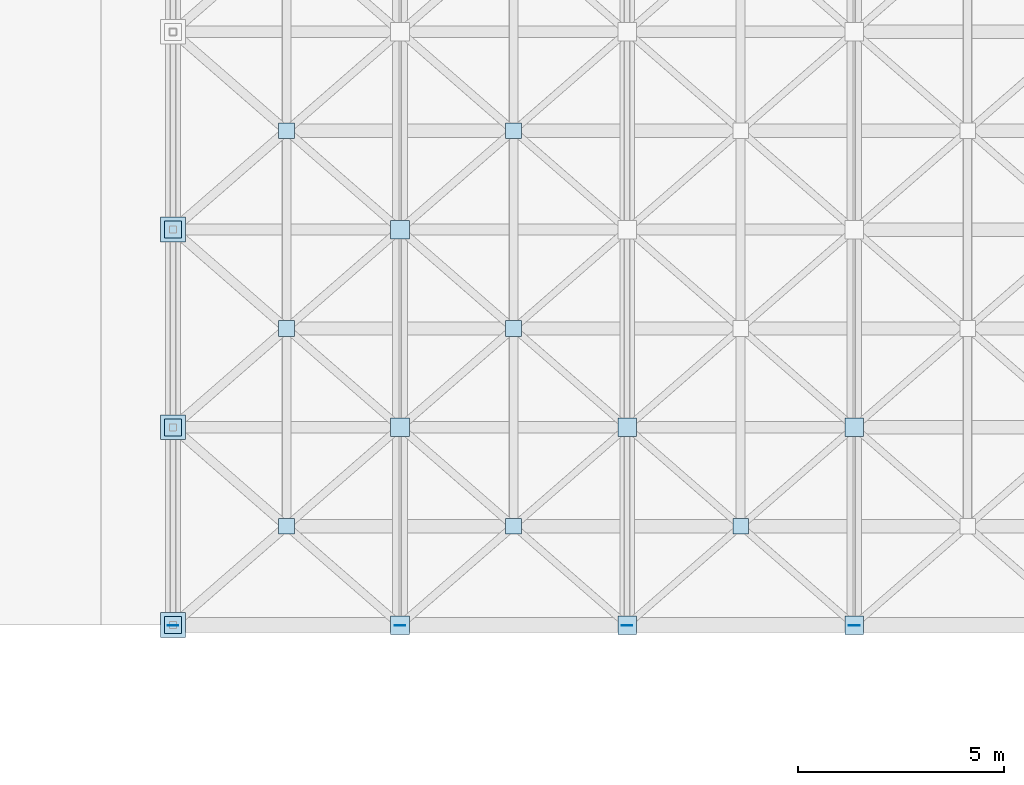
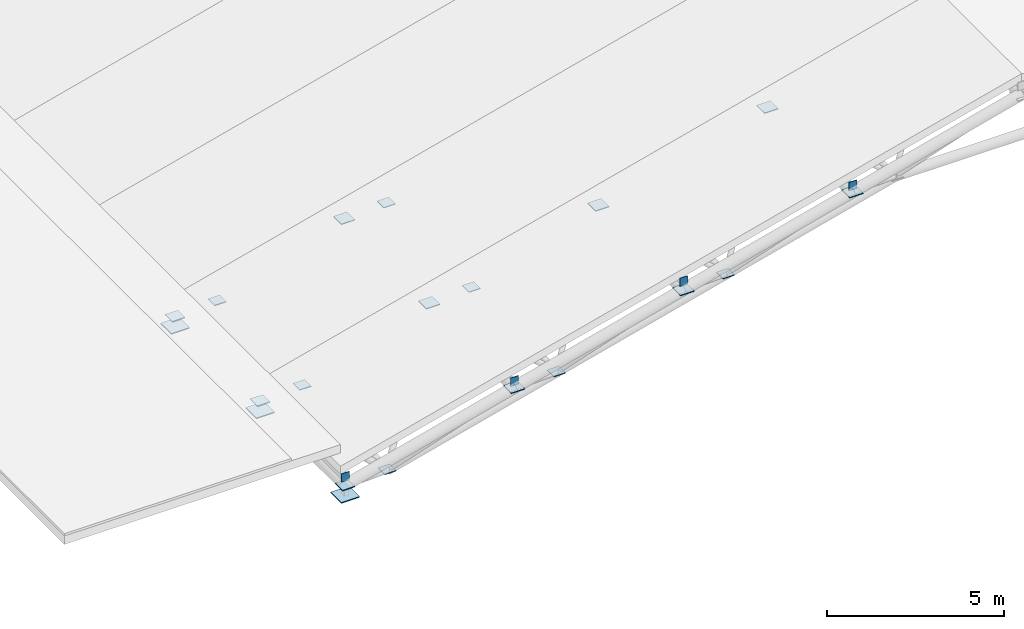
# One storey, part 43 of 60: 24 plates.
"""IFC4 building model written with IfcOpenShell, lengths in metres."""

from ifc_helpers import new_model, si_unit, direction, frame, origin, origin_2d, place, context, subcontext, project, spatial, rectangle, extrude, material, type_object, element, save


model = new_model("IFC4")

# Units and contexts
model_context = context("Model", 3, precision=1e-05, world=origin(), true_north=direction((0.0, 1.0)))
body_context = subcontext(model_context, "Body", "Model", "MODEL_VIEW")
ifc_project = project(units=[si_unit("LENGTHUNIT", "METRE"), si_unit("AREAUNIT", "SQUARE_METRE"), si_unit("VOLUMEUNIT", "CUBIC_METRE"), si_unit("PLANEANGLEUNIT", "RADIAN"), si_unit("MASSUNIT", "GRAM", prefix="KILO")], contexts=[model_context])

# Site, building, storey
site_placement = place(None, origin())
site = spatial("IfcSite", under=ifc_project, at=site_placement, CompositionType="ELEMENT")
building_placement = place(site_placement, origin())
building = spatial("IfcBuilding", under=site, at=building_placement, Name="Nakhvara Creek Congress Hotel", CompositionType="ELEMENT")
storey_placement = place(building_placement, frame((0.0, 0.0, 54.60009765625)))
storey = spatial("IfcBuildingStorey", under=building, at=storey_placement, Name="RL1", CompositionType="ELEMENT", Elevation=54.60009765625)

# Plates
ifc_material = material(Name="Steel S355J2", Category="steel")
plate_type_1 = type_object("IfcPlateType", Name="PLT-BASE-600X600X35", PredefinedType="USERDEFINED", material=ifc_material)
for number, where, z_axis, x_axis, name in (
    (1, (9.14990234375, 33.60009765625, -35.39990234375), (0.0, 0.0, 1.0), (1.0, 0.0, 0.0), "Space-Frame Bearing Shoe SN04-001"),
    (2, (9.14990234375, 38.39990234375, -35.39990234375), (0.0, 0.0, 1.0), (1.0, 0.0, 0.0), "Space-Frame Bearing Shoe SN04-010"),
    (3, (9.14990234375, 43.199951171875, -35.39990234375), (0.0, 0.0, 1.0), (1.0, 0.0, 0.0), "Space-Frame Bearing Shoe SN04-019"),
):
    element("IfcPlate", number, at=place(storey_placement, frame(where, z_axis=z_axis, x_axis=x_axis)), inside=storey, type_object=plate_type_1, Name=name, ObjectType="GUSSET_PLATE", PredefinedType="USERDEFINED", context=body_context, shape_type="SweptSolid", body=[
        extrude(rectangle(XDim=0.60009765625, YDim=0.60009765625, at=origin_2d()), origin(), (0.0, 0.0, 1.0), 0.034912109375),
    ])
plate_type_2 = type_object("IfcPlateType", Name="PLT-CAP-260X280X20", PredefinedType="USERDEFINED", material=ifc_material)
for number, where, z_axis, x_axis, name in (
    (4, (9.14990234375, 33.590087890625, -34.89306640625), (0.0, 0.0, 1.0), (1.0, 0.0, 0.0), "Congress Purlin End-Cap Plate SN08-01S"),
    (5, (14.66259765625, 33.590087890625, -33.51806640625), (0.0, 0.0, 1.0), (1.0, 0.0, 0.0), "Congress Purlin End-Cap Plate SN08-02S"),
    (6, (20.175048828125, 33.590087890625, -32.01318359375), (0.0, 0.0, 1.0), (1.0, 0.0, 0.0), "Congress Purlin End-Cap Plate SN08-03S"),
    (7, (25.6875, 33.590087890625, -30.63818359375), (0.0, 0.0, 1.0), (1.0, 0.0, 0.0), "Congress Purlin End-Cap Plate SN08-04S"),
):
    element("IfcPlate", number, at=place(storey_placement, frame(where, z_axis=z_axis, x_axis=x_axis)), inside=storey, type_object=plate_type_2, Name=name, ObjectType="GUSSET_PLATE", PredefinedType="USERDEFINED", context=body_context, shape_type="SweptSolid", body=[
        extrude(rectangle(XDim=0.260009765625, YDim=0.02001953125, at=origin_2d()), origin(), (0.0, 0.0, 1.0), 0.280029296875),
    ])
plate_type_3 = type_object("IfcPlateType", Name="PLT-NODE-380X380X24", PredefinedType="USERDEFINED", material=ifc_material)
for number, where, z_axis, x_axis, name in (
    (8, (11.90625, 36.0, -36.942138671875), (0.0, 0.0, 1.0), (1.0, 0.0, 0.0), "Congress Roof Truss Bottom Node Plate SN-109"),
    (9, (17.418701171875, 36.0, -35.501953125), (0.0, 0.0, 1.0), (1.0, 0.0, 0.0), "Congress Roof Truss Bottom Node Plate SN-110"),
    (10, (22.93115234375, 36.0, -34.06201171875), (0.0, 0.0, 1.0), (1.0, 0.0, 0.0), "Congress Roof Truss Bottom Node Plate SN-111"),
    (11, (11.90625, 40.800048828125, -36.942138671875), (0.0, 0.0, 1.0), (1.0, 0.0, 0.0), "Congress Roof Truss Bottom Node Plate SN-117"),
    (12, (17.418701171875, 40.800048828125, -35.501953125), (0.0, 0.0, 1.0), (1.0, 0.0, 0.0), "Congress Roof Truss Bottom Node Plate SN-118"),
    (13, (11.90625, 45.60009765625, -36.942138671875), (0.0, 0.0, 1.0), (1.0, 0.0, 0.0), "Congress Roof Truss Bottom Node Plate SN-125"),
    (14, (17.418701171875, 45.60009765625, -35.501953125), (0.0, 0.0, 1.0), (1.0, 0.0, 0.0), "Congress Roof Truss Bottom Node Plate SN-126"),
):
    element("IfcPlate", number, at=place(storey_placement, frame(where, z_axis=z_axis, x_axis=x_axis)), inside=storey, type_object=plate_type_3, Name=name, ObjectType="GUSSET_PLATE", PredefinedType="USERDEFINED", context=body_context, shape_type="SweptSolid", body=[
        extrude(rectangle(XDim=0.3798828125, YDim=0.3798828125, at=origin_2d()), origin(), (0.0, 0.0, 1.0), 0.02392578125),
    ])
plate_type_4 = type_object("IfcPlateType", Name="PLT-NODE-410X410X26", PredefinedType="USERDEFINED", material=ifc_material)
for number, where, z_axis, x_axis, name in (
    (15, (9.14990234375, 33.60009765625, -35.06298828125), (0.0, 0.0, 1.0), (1.0, 0.0, 0.0), "Congress Roof Truss Node Plate SN-001"),
    (16, (9.14990234375, 38.39990234375, -35.06298828125), (0.0, 0.0, 1.0), (1.0, 0.0, 0.0), "Congress Roof Truss Node Plate SN-010"),
    (17, (9.14990234375, 43.199951171875, -35.06298828125), (0.0, 0.0, 1.0), (1.0, 0.0, 0.0), "Congress Roof Truss Node Plate SN-019"),
):
    element("IfcPlate", number, at=place(storey_placement, frame(where, z_axis=z_axis, x_axis=x_axis)), inside=storey, type_object=plate_type_4, Name=name, ObjectType="GUSSET_PLATE", PredefinedType="USERDEFINED", context=body_context, shape_type="SweptSolid", body=[
        extrude(rectangle(XDim=0.409912109375, YDim=0.409912109375, at=origin_2d()), origin(), (0.0, 0.0, 1.0), 0.02587890625),
    ])
plate_type_5 = type_object("IfcPlateType", Name="PLT-NODE-450X450X28", PredefinedType="USERDEFINED", material=ifc_material)
for number, where, z_axis, x_axis, name in (
    (18, (14.66259765625, 33.60009765625, -33.6240234375), (0.0, 0.0, 1.0), (1.0, 0.0, 0.0), "Congress Roof Truss Node Plate SN-002"),
    (19, (20.175048828125, 33.60009765625, -32.18408203125), (0.0, 0.0, 1.0), (1.0, 0.0, 0.0), "Congress Roof Truss Node Plate SN-003"),
    (20, (25.6875, 33.60009765625, -30.744140625), (0.0, 0.0, 1.0), (1.0, 0.0, 0.0), "Congress Roof Truss Node Plate SN-004"),
    (21, (14.66259765625, 38.39990234375, -33.6240234375), (0.0, 0.0, 1.0), (1.0, 0.0, 0.0), "Congress Roof Truss Node Plate SN-011"),
    (22, (20.175048828125, 38.39990234375, -32.18408203125), (0.0, 0.0, 1.0), (1.0, 0.0, 0.0), "Congress Roof Truss Node Plate SN-012"),
    (23, (25.6875, 38.39990234375, -30.744140625), (0.0, 0.0, 1.0), (1.0, 0.0, 0.0), "Congress Roof Truss Node Plate SN-013"),
    (24, (14.66259765625, 43.199951171875, -33.6240234375), (0.0, 0.0, 1.0), (1.0, 0.0, 0.0), "Congress Roof Truss Node Plate SN-020"),
):
    element("IfcPlate", number, at=place(storey_placement, frame(where, z_axis=z_axis, x_axis=x_axis)), inside=storey, type_object=plate_type_5, Name=name, ObjectType="GUSSET_PLATE", PredefinedType="USERDEFINED", context=body_context, shape_type="SweptSolid", body=[
        extrude(rectangle(XDim=0.449951171875, YDim=0.449951171875, at=origin_2d()), origin(), (0.0, 0.0, 1.0), 0.028076171875),
    ])

save(model, "model.ifc")
